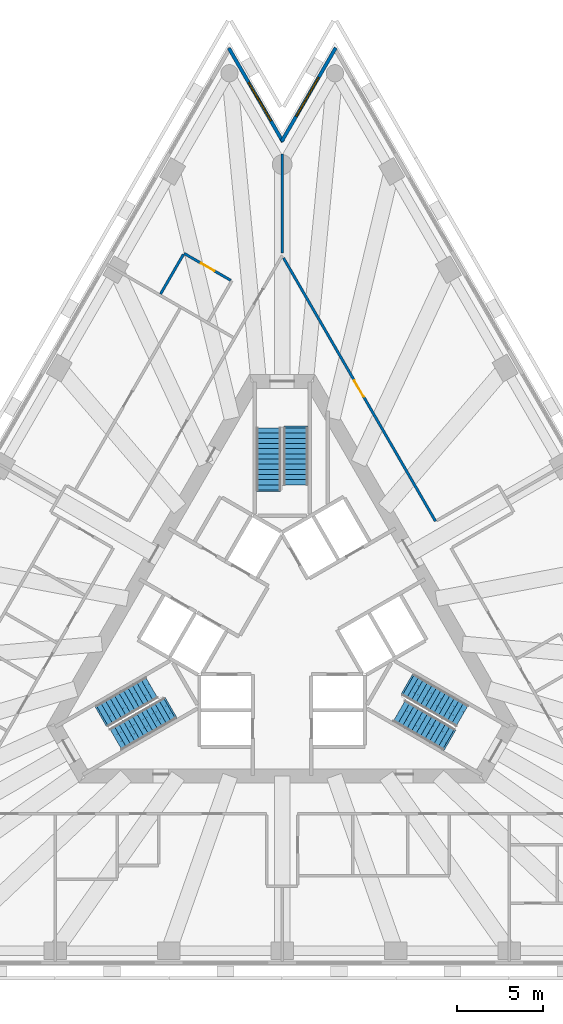
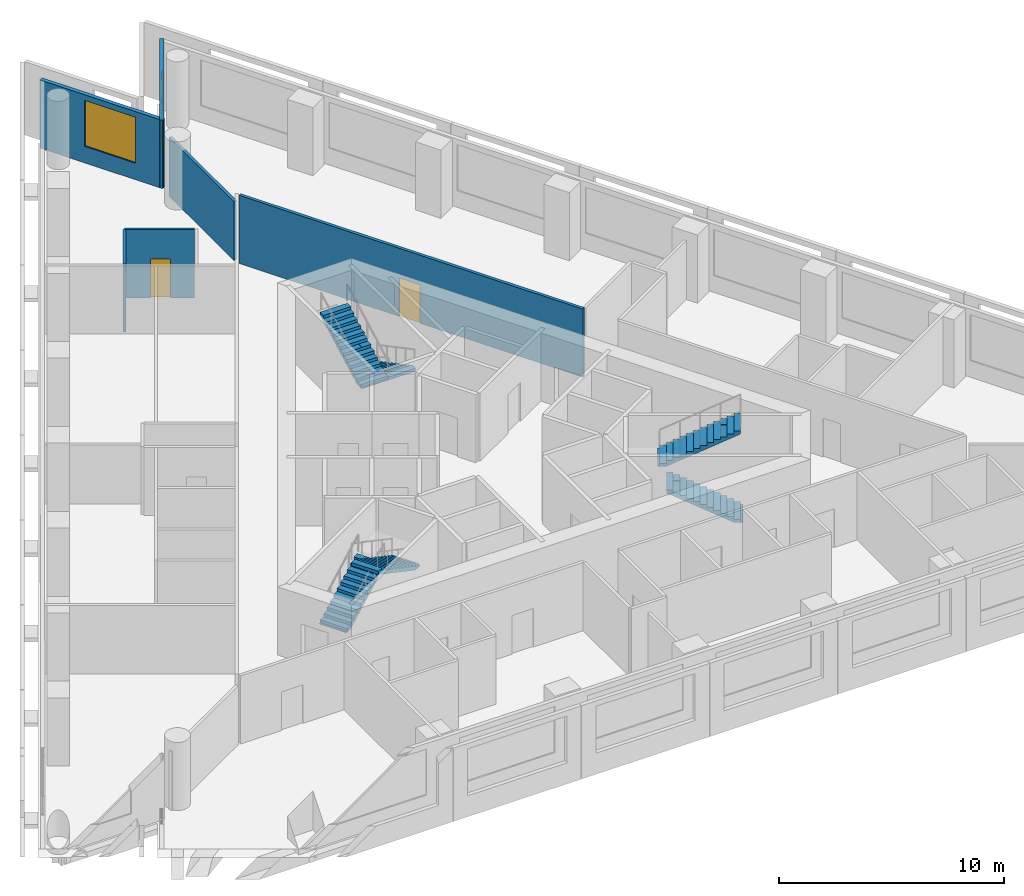
# One storey, part 7 of 10: 6 stair flights, 6 walls, 2 doors, 2 windows, 4 openings, 3 elements without a shape of their own.
"""IFC4 building model written with IfcOpenShell, lengths in metres."""

import ifcopenshell
import ifcopenshell.guid

model = None  # the IFC model being written
_history = None  # IfcOwnerHistory: only IFC2X3 demands one
_inside = {}  # id of a spatial element -> (the spatial element, [elements in it])
_under = {}  # id of a project, library or spatial element -> (it, [spatial elements below it])
_declared = {}  # id of a project -> (the project, [libraries it declares])
_typed = {}  # id of a type object -> (the type object, [elements of that type])
_made_of = {}  # id of a material, layer set ... -> (it, [elements and type objects made of it])


def new_model(schema):
    """Start an empty IFC model of exactly this schema.

    Asked for "IFC4X3", IfcOpenShell would pick the latest addendum, in which some entities
    have other attributes; the version numbers below select the first issue.
    IFC2X3 requires an IfcOwnerHistory on every rooted entity: one is made here for all.
    """
    global model, _history
    if schema == "IFC4X3":
        model = ifcopenshell.file(schema_version=(4, 3, 0, 0))
    else:
        model = ifcopenshell.file(schema=schema)
    _inside.clear()
    _under.clear()
    _declared.clear()
    _typed.clear()
    _made_of.clear()
    _history = None
    if model.schema == "IFC2X3":
        org = make("IfcOrganization", Name="unknown")
        user = make(
            "IfcPersonAndOrganization",
            ThePerson=make("IfcPerson", FamilyName="unknown"),
            TheOrganization=org,
        )
        app = make(
            "IfcApplication",
            ApplicationDeveloper=org,
            Version="unknown",
            ApplicationFullName="unknown",
            ApplicationIdentifier="unknown",
        )
        _history = make(
            "IfcOwnerHistory",
            OwningUser=user,
            OwningApplication=app,
            ChangeAction="ADDED",
            CreationDate=0,
        )
    return model


def make(cls, **values):
    """One entity of the class cls with the attributes given. An attribute that is None is left unset."""
    return model.create_entity(
        cls, **{name: value for name, value in values.items() if value is not None}
    )


def rooted(cls, **values):
    """An entity with a GlobalId (a new one), such as an element, a storey or a relation."""
    return make(cls, GlobalId=ifcopenshell.guid.new(), OwnerHistory=_history, **values)


def si_unit(unit_type, name, prefix=None):
    """IfcSIUnit, for example si_unit("LENGTHUNIT", "METRE", prefix="MILLI")."""
    return make("IfcSIUnit", UnitType=unit_type, Prefix=prefix, Name=name)


def assignment(units):
    """IfcUnitAssignment: the units of a project."""
    return None if units is None else make("IfcUnitAssignment", Units=units)


def point(xyz):
    """IfcCartesianPoint."""
    return None if xyz is None else make("IfcCartesianPoint", Coordinates=xyz)


def direction(xyz):
    """IfcDirection."""
    return None if xyz is None else make("IfcDirection", DirectionRatios=xyz)


def frame(location, z_axis=None, x_axis=None):
    """IfcAxis2Placement3D, a coordinate frame: its origin and axes. An axis left out is left unset."""
    return make(
        "IfcAxis2Placement3D",
        Location=point(location),
        Axis=direction(z_axis),
        RefDirection=direction(x_axis),
    )


def frame_2d(location, x_axis=None):
    """IfcAxis2Placement2D, a coordinate frame in the plane: its origin and x axis."""
    return make(
        "IfcAxis2Placement2D", Location=point(location), RefDirection=direction(x_axis)
    )


def origin():
    """The frame at (0, 0, 0) with its axes left unset."""
    return frame((0.0, 0.0, 0.0))


def place(relative_to, where):
    """IfcLocalPlacement: puts the frame where relative to a parent placement (None: the world)."""
    return make(
        "IfcLocalPlacement", PlacementRelTo=relative_to, RelativePlacement=where
    )


def context(
    kind, dimensions, precision=None, world=None, true_north=None, identifier=None
):
    """IfcGeometricRepresentationContext, for example the 3D "Model" context."""
    return make(
        "IfcGeometricRepresentationContext",
        ContextIdentifier=identifier,
        ContextType=kind,
        CoordinateSpaceDimension=dimensions,
        Precision=precision,
        WorldCoordinateSystem=world,
        TrueNorth=true_north,
    )


def subcontext(parent, identifier, kind, view, scale=None):
    """IfcGeometricRepresentationSubContext, for example "Body" below "Model"."""
    return make(
        "IfcGeometricRepresentationSubContext",
        ContextIdentifier=identifier,
        ContextType=kind,
        ParentContext=parent,
        TargetScale=scale,
        TargetView=view,
    )


def project(units=None, contexts=None):
    """IfcProject with its units and contexts."""
    return rooted(
        "IfcProject",
        Name="project",
        RepresentationContexts=contexts,
        UnitsInContext=assignment(units),
    )


def spatial(cls, under=None, at=None, **own):
    """A site, building, storey or space (cls), placed at a placement, below another one or the project."""
    s = rooted(cls, ObjectPlacement=at, **own)
    if under is not None:
        _under.setdefault(under.id(), (under, []))[1].append(s)
    return s


def polyline(points):
    """IfcPolyline through the points."""
    return make("IfcPolyline", Points=[point(p) for p in points])


def profile(cls, at=None, kind="AREA", **sizes):
    """A parametric profile (cls). Its sizes go by their IFC names, for example OverallWidth=200.0."""
    return make(cls, ProfileType=kind, Position=at, **sizes)


def rectangle(**sizes):
    """IfcRectangleProfileDef."""
    return profile("IfcRectangleProfileDef", **sizes)


def outline(outer, holes=None, kind="AREA"):
    """IfcArbitraryClosedProfileDef: a profile drawn as a closed curve; with holes, ...WithVoids."""
    if holes is None:
        return make("IfcArbitraryClosedProfileDef", ProfileType=kind, OuterCurve=outer)
    return make(
        "IfcArbitraryProfileDefWithVoids",
        ProfileType=kind,
        OuterCurve=outer,
        InnerCurves=holes,
    )


def extrude(swept, where, along, depth):
    """IfcExtrudedAreaSolid: the profile swept, set in the frame where, extruded along a direction by depth."""
    return make(
        "IfcExtrudedAreaSolid",
        SweptArea=swept,
        Position=where,
        ExtrudedDirection=direction(along),
        Depth=depth,
    )


def shape(context_of_items, identifier, shape_type, items):
    """IfcShapeRepresentation: the items that make up one representation, for example the "Body"."""
    return make(
        "IfcShapeRepresentation",
        ContextOfItems=context_of_items,
        RepresentationIdentifier=identifier,
        RepresentationType=shape_type,
        Items=items,
    )


def material(Name=None, Category=None):
    """IfcMaterial."""
    return make("IfcMaterial", Name=Name, Category=Category)


def layer(
    of_material, thickness, ventilated=None, Name=None, Category=None, Priority=None
):
    """IfcMaterialLayer: one layer of a wall or slab, of a material (None: an air gap)."""
    return make(
        "IfcMaterialLayer",
        Material=of_material,
        LayerThickness=thickness,
        IsVentilated=ventilated,
        Name=Name,
        Category=Category,
        Priority=Priority,
    )


def layer_set(layers, Name=None):
    """IfcMaterialLayerSet."""
    return make("IfcMaterialLayerSet", MaterialLayers=layers, LayerSetName=Name)


def layer_usage(for_layer_set, set_direction, sense, offset, extent=None):
    """IfcMaterialLayerSetUsage: how a layer set lies in its element."""
    return make(
        "IfcMaterialLayerSetUsage",
        ForLayerSet=for_layer_set,
        LayerSetDirection=set_direction,
        DirectionSense=sense,
        OffsetFromReferenceLine=offset,
        ReferenceExtent=extent,
    )


def made_of(thing, what):
    """Note that an element or type object is made of a material, layer set ...; save() writes the relation."""
    if what is not None:
        _made_of.setdefault(what.id(), (what, []))[1].append(thing)
    return thing


def type_object(cls, material=None, **own):
    """A type object (cls), such as IfcWallType, which elements share."""
    return made_of(rooted(cls, **own), material)


def element(
    cls,
    number,
    at=None,
    inside=None,
    cuts=None,
    type_object=None,
    material=None,
    context=None,
    identifier="Body",
    shape_type=None,
    held_by="IfcProductDefinitionShape",
    body=None,
    shapes=None,
    **own,
):
    """One element of the class cls, such as IfcWall. Its Tag is "e" and its number.

    at: its placement. inside: the storey or other place that contains it. cuts: it is an
    opening in that element (IfcRelVoidsElement). A single representation is given by context,
    identifier, shape_type and body (its items); several are given by shapes. held_by: the class
    of the entity that holds the representations. save() writes the other relations.
    """
    e = rooted(cls, Tag="e%d" % number, ObjectPlacement=at, **own)
    if body is not None:
        shapes = [shape(context, identifier, shape_type, body)]
    if shapes is not None:
        e.Representation = make(held_by, Representations=shapes)
    if inside is not None:
        _inside.setdefault(inside.id(), (inside, []))[1].append(e)
    if cuts is not None:
        rooted(
            "IfcRelVoidsElement", RelatingBuildingElement=cuts, RelatedOpeningElement=e
        )
    if type_object is not None:
        _typed.setdefault(type_object.id(), (type_object, []))[1].append(e)
    return made_of(e, material)


def fill(opening, filler):
    """IfcRelFillsElement: the door or window that sits in an opening."""
    return rooted(
        "IfcRelFillsElement",
        RelatingOpeningElement=opening,
        RelatedBuildingElement=filler,
    )


def aggregate(whole, parts):
    """IfcRelAggregates: a whole, such as a stair, and the parts it consists of."""
    return rooted("IfcRelAggregates", RelatingObject=whole, RelatedObjects=parts)


def save(model, path):
    """Write the relations noted so far, then the file.

    IfcRelAggregates (storeys below a building ...), IfcRelContainedInSpatialStructure (elements
    in a storey), IfcRelDefinesByType, IfcRelAssociatesMaterial and IfcRelDeclares: one each for
    every whole, place, type object, material and project.
    """
    for whole, parts in _under.values():
        aggregate(whole, parts)
    for where, things in _inside.values():
        rooted(
            "IfcRelContainedInSpatialStructure",
            RelatedElements=things,
            RelatingStructure=where,
        )
    for kind, things in _typed.values():
        rooted("IfcRelDefinesByType", RelatedObjects=things, RelatingType=kind)
    for what, things in _made_of.values():
        rooted("IfcRelAssociatesMaterial", RelatedObjects=things, RelatingMaterial=what)
    for by, libraries in _declared.values():
        rooted("IfcRelDeclares", RelatingContext=by, RelatedDefinitions=libraries)
    model.write(path)


model = new_model("IFC4")

# Units and contexts
model_context = context("Model", 3, precision=1e-05, world=origin(), true_north=direction((0.0, 1.0)))
body_context = subcontext(model_context, "Body", "Model", "MODEL_VIEW")
ifc_project = project(units=[si_unit("LENGTHUNIT", "METRE"), si_unit("AREAUNIT", "SQUARE_METRE"), si_unit("VOLUMEUNIT", "CUBIC_METRE"), si_unit("PLANEANGLEUNIT", "RADIAN"), si_unit("MASSUNIT", "GRAM", prefix="KILO")], contexts=[model_context])

# Site, building, storey
site_placement = place(None, origin())
site = spatial("IfcSite", under=ifc_project, at=site_placement, CompositionType="ELEMENT")
building_placement = place(site_placement, origin())
building = spatial("IfcBuilding", under=site, at=building_placement, Name="Triada Interchange Tower", CompositionType="ELEMENT")
storey_placement = place(building_placement, frame((0.0, 0.0, 156.300048828125)))
storey = spatial("IfcBuildingStorey", under=building, at=storey_placement, Name="L36", CompositionType="ELEMENT", Elevation=156.300048828125)

# Wall, opening, window
ifc_material_1 = material(Name="Cement board")
ifc_layer_1 = layer(ifc_material_1, 0.02001953125, Name="Cement board cladding")
ifc_material_2 = material(Name="Sheathing board")
ifc_layer_2 = layer(ifc_material_2, 0.014892578125, Name="Sheathing board")
ifc_material_3 = material(Name="Mineral wool")
ifc_layer_3 = layer(ifc_material_3, 0.14990234375, Name="Mineral wool between steel studs")
ifc_material_4 = material(Name="Gypsum board")
ifc_layer_4 = layer(ifc_material_4, 0.014892578125, Name="Plasterboard lining")
ifc_layer_set_1 = layer_set([ifc_layer_1, ifc_layer_2, ifc_layer_3, ifc_layer_4], Name="External wall 200")
ifc_layer_usage = layer_usage(ifc_layer_set_1, "AXIS2", "POSITIVE", -0.10009765625)
wall_type_1 = type_object("IfcWallType", Name="External wall 200", PredefinedType="ELEMENTEDWALL", material=ifc_layer_set_1)
wall_1_placement = place(storey_placement, frame((3.10791015625, 33.666015625, 0.0), z_axis=(0.0, 0.0, 1.0), x_axis=(-0.499961152228, -0.866047831394, 0.0)))
wall_1 = element("IfcWall", 1, at=wall_1_placement, inside=storey, type_object=wall_type_1, material=ifc_layer_usage, Name="External wall L36 N-1", PredefinedType="ELEMENTEDWALL", context=body_context, shape_type="SweptSolid", body=[
    extrude(rectangle(XDim=6.2861328125, YDim=0.199951171875, at=frame_2d((3.14306640625, 0.0))), origin(), (0.0, 0.0, 1.0), 3.699951171875),
])
opening_1_placement = place(wall_1_placement, frame((1.989990234375, 0.0, 0.89990234375)))
opening_1 = element("IfcOpeningElement", 2, at=opening_1_placement, cuts=wall_1, Name="Opening WB29", PredefinedType="OPENING", context=body_context, shape_type="SweptSolid", body=[
    extrude(rectangle(XDim=2.60009765625, YDim=2.5, at=frame_2d((1.300048828125, 1.25))), frame((0.0, 0.10986328125, 0.0), z_axis=(0.0, -1.0, 0.0), x_axis=(1.0, 0.0, 0.0)), (0.0, 0.0, 1.0), 0.219970703125),
])
ifc_material_5 = material(Name="Double glazed aluminium window", Category="aluminium")
window_type = type_object("IfcWindowType", Name="Ribbon window B pocket", PartitioningType="SINGLE_PANEL", PredefinedType="WINDOW", material=ifc_material_5)
window_1_placement = place(opening_1_placement, origin())
window_1 = element("IfcWindow", 3, at=window_1_placement, inside=storey, type_object=window_type, Name="Window L36 N-1 1", OverallHeight=2.5, OverallWidth=2.60009765625, PartitioningType="SINGLE_PANEL", PredefinedType="WINDOW", context=body_context, shape_type="SweptSolid", body=[
    extrude(rectangle(XDim=2.60009765625, YDim=2.5, at=frame_2d((1.300048828125, 1.25))), frame((0.0, 0.030029296875, 0.0), z_axis=(0.0, -1.0, 0.0), x_axis=(1.0, 0.0, 0.0)), (0.0, 0.0, 1.0), 0.06005859375),
])
fill(opening_1, window_1)

wall_2_placement = place(storey_placement, frame((0.044921875, 28.205078125, 0.0), z_axis=(0.0, 0.0, 1.0), x_axis=(-0.499977969162, 0.866038122921, 0.0)))
wall_2 = element("IfcWall", 4, at=wall_2_placement, inside=storey, type_object=wall_type_1, material=ifc_layer_usage, Name="External wall L36 N-2", PredefinedType="ELEMENTEDWALL", context=body_context, shape_type="SweptSolid", body=[
    extrude(rectangle(XDim=6.285888671875, YDim=0.199951171875, at=frame_2d((3.14306640625, 0.0))), origin(), (0.0, 0.0, 1.0), 3.699951171875),
])
opening_2_placement = place(wall_2_placement, frame((1.389892578125, 0.0, 0.89990234375)))
opening_2 = element("IfcOpeningElement", 5, at=opening_2_placement, cuts=wall_2, Name="Opening WB30", PredefinedType="OPENING", context=body_context, shape_type="SweptSolid", body=[
    extrude(rectangle(XDim=2.60009765625, YDim=2.5, at=frame_2d((1.300048828125, 1.25))), frame((0.0, 0.10986328125, 0.0), z_axis=(0.0, -1.0, 0.0), x_axis=(1.0, 0.0, 0.0)), (0.0, 0.0, 1.0), 0.219970703125),
])
window_2_placement = place(opening_2_placement, origin())
window_2 = element("IfcWindow", 6, at=window_2_placement, inside=storey, type_object=window_type, Name="Window L36 N-2 1", OverallHeight=2.5, OverallWidth=2.60009765625, PartitioningType="SINGLE_PANEL", PredefinedType="WINDOW", context=body_context, shape_type="SweptSolid", body=[
    extrude(rectangle(XDim=2.60009765625, YDim=2.5, at=frame_2d((1.300048828125, 1.25))), frame((0.0, 0.030029296875, 0.0), z_axis=(0.0, -1.0, 0.0), x_axis=(1.0, 0.0, 0.0)), (0.0, 0.0, 1.0), 0.06005859375),
])
fill(opening_2, window_2)

# Wall
ifc_material_6 = material(Name="Gypsum board partition")
ifc_layer_5 = layer(ifc_material_6, 0.14990234375)
ifc_layer_set_2 = layer_set([ifc_layer_5], Name="PARTITION 150 EI 180")
wall_type_2 = type_object("IfcWallType", Name="PARTITION 150 EI 180", PredefinedType="PARTITIONING", material=ifc_layer_set_2)
wall_3_placement = place(storey_placement, frame((0.0, 21.75, 0.0), z_axis=(0.0, 0.0, 1.0), x_axis=(0.0, 1.0, 0.0)))
element("IfcWall", 7, at=wall_3_placement, inside=storey, type_object=wall_type_2, Name="Wall L35 26", PredefinedType="PARTITIONING", context=body_context, shape_type="SweptSolid", body=[
    extrude(rectangle(XDim=5.7529296875, YDim=0.14990234375, at=frame_2d((2.87646484375, 0.0))), origin(), (0.0, 0.0, 1.0), 3.199951171875),
])

# Wall, opening, door
wall_4_placement = place(storey_placement, frame((0.075927734375, 21.468017578125, 0.0), z_axis=(0.0, 0.0, 1.0), x_axis=(0.500006592492, -0.866021597574, 0.0)))
wall_4 = element("IfcWall", 8, at=wall_4_placement, inside=storey, type_object=wall_type_2, Name="Wall L35 28", PredefinedType="PARTITIONING", context=body_context, shape_type="SweptSolid", body=[
    extrude(rectangle(XDim=17.652099609375, YDim=0.14990234375, at=frame_2d((8.826171875, 0.0))), origin(), (0.0, 0.0, 1.0), 3.699951171875),
])
opening_3_placement = place(wall_4_placement, frame((8.2041015625, 0.0, 0.0)))
opening_3 = element("IfcOpeningElement", 9, at=opening_3_placement, cuts=wall_4, Name="Opening D35-26", PredefinedType="OPENING", context=body_context, shape_type="SweptSolid", body=[
    extrude(rectangle(XDim=1.10009765625, YDim=2.10009765625, at=frame_2d((0.550048828125, 1.050048828125))), frame((0.0, 0.0849609375, 0.0), z_axis=(0.0, -1.0, 0.0), x_axis=(1.0, 0.0, 0.0)), (0.0, 0.0, 1.0), 0.169921875),
])
ifc_material_7 = material(Name="Steel S235 door leaf", Category="steel")
door_type_1 = type_object("IfcDoorType", Name="TENANCY ENTRANCE DOOR 1100 EI2 90-C5S200", OperationType="NOTDEFINED", PredefinedType="DOOR", material=ifc_material_7)
door_1_placement = place(opening_3_placement, origin())
door_1 = element("IfcDoor", 10, at=door_1_placement, inside=storey, type_object=door_type_1, Name="Door D35-26 L36", OperationType="SINGLE_SWING_LEFT", OverallHeight=2.10009765625, OverallWidth=1.10009765625, PredefinedType="DOOR", context=body_context, shape_type="SweptSolid", body=[
    extrude(rectangle(XDim=1.10009765625, YDim=2.10009765625, at=frame_2d((0.550048828125, 1.050048828125))), frame((0.0, 0.02490234375, 0.0), z_axis=(0.0, -1.0, 0.0), x_axis=(1.0, 0.0, 0.0)), (0.0, 0.0, 1.0), 0.050048828125),
])
fill(opening_3, door_1)

ifc_layer_6 = layer(ifc_material_6, 0.14990234375)
ifc_layer_set_3 = layer_set([ifc_layer_6], Name="PARTITION 150 EI 90")
wall_type_3 = type_object("IfcWallType", Name="PARTITION 150 EI 90", PredefinedType="PARTITIONING", material=ifc_layer_set_3)
wall_5_placement = place(storey_placement, frame((-5.697021484375, 21.73193359375, 0.0), z_axis=(0.0, 0.0, 1.0), x_axis=(0.866071089505, -0.499920861661, 0.0)))
wall_5 = element("IfcWall", 11, at=wall_5_placement, inside=storey, type_object=wall_type_3, Name="Wall L35 45", PredefinedType="PARTITIONING", context=body_context, shape_type="SweptSolid", body=[
    extrude(rectangle(XDim=3.12451171875, YDim=0.14990234375, at=frame_2d((1.562255859375, 0.0))), origin(), (0.0, 0.0, 1.0), 3.699951171875),
])
opening_4_placement = place(wall_5_placement, frame((1.14990234375, 0.0, 0.0)))
opening_4 = element("IfcOpeningElement", 12, at=opening_4_placement, cuts=wall_5, Name="Opening D35-28", PredefinedType="OPENING", context=body_context, shape_type="SweptSolid", body=[
    extrude(rectangle(XDim=0.89990234375, YDim=2.10009765625, at=frame_2d((0.449951171875, 1.050048828125))), frame((0.0, 0.0849609375, 0.0), z_axis=(0.0, -1.0, 0.0), x_axis=(1.0, 0.0, 0.0)), (0.0, 0.0, 1.0), 0.169921875),
])
door_type_2 = type_object("IfcDoorType", Name="ROOM DOOR 900 EI2 45-C5S200", OperationType="NOTDEFINED", PredefinedType="DOOR", material=ifc_material_7)
door_2_placement = place(opening_4_placement, origin())
door_2 = element("IfcDoor", 13, at=door_2_placement, inside=storey, type_object=door_type_2, Name="Door D35-28 L36", OperationType="SINGLE_SWING_LEFT", OverallHeight=2.10009765625, OverallWidth=0.89990234375, PredefinedType="DOOR", context=body_context, shape_type="SweptSolid", body=[
    extrude(rectangle(XDim=0.89990234375, YDim=2.10009765625, at=frame_2d((0.449951171875, 1.050048828125))), frame((0.0, 0.02490234375, 0.0), z_axis=(0.0, -1.0, 0.0), x_axis=(1.0, 0.0, 0.0)), (0.0, 0.0, 1.0), 0.050048828125),
])
fill(opening_4, door_2)

# Wall
wall_6_placement = place(storey_placement, frame((-7.06005859375, 19.373046875, 0.0), z_axis=(0.0, 0.0, 1.0), x_axis=(0.499993606316, 0.866029095148, 0.0)))
element("IfcWall", 14, at=wall_6_placement, inside=storey, type_object=wall_type_3, Name="Wall L35 46", PredefinedType="PARTITIONING", context=body_context, shape_type="SweptSolid", body=[
    extrude(rectangle(XDim=2.64990234375, YDim=0.14990234375, at=frame_2d((1.324951171875, 0.0))), origin(), (0.0, 0.0, 1.0), 3.699951171875),
])

# Stair, stair flights
ifc_material_8 = material(Name="Concrete C35/45", Category="concrete")
stair_type = type_object("IfcStairType", Name="HALF TURN STAIR 1400", PredefinedType="HALF_TURN_STAIR", material=ifc_material_8)
stair_1_placement = place(storey_placement, origin())
stair_1 = element("IfcStair", 15, at=stair_1_placement, inside=storey, type_object=stair_type, Name="Exit stair S35-1", PredefinedType="HALF_TURN_STAIR")
stair_flight_type = type_object("IfcStairFlightType", Name="STRAIGHT STAIR FLIGHT 1400", PredefinedType="STRAIGHT", material=ifc_material_8)
stair_flight_1_placement = place(storey_placement, frame((0.800048828125, 11.60009765625, 0.0), z_axis=(0.0, 0.0, 1.0), x_axis=(0.0, -1.0, 0.0)))
stair_flight_1 = element("IfcStairFlight", 16, at=stair_flight_1_placement, type_object=stair_flight_type, Name="S35-1 flight 1", NumberOfRisers=12, NumberOfTreads=11, PredefinedType="STRAIGHT", RiserHeight=0.16, TreadLength=0.3, context=body_context, shape_type="SweptSolid", body=[
    extrude(outline(polyline([(-0.10009765625, 0.0), (-0.10009765625, 0.02001953125), (0.0, 0.02001953125), (0.0, 0.159912109375), (0.300048828125, 0.159912109375), (0.300048828125, 0.320068359375), (0.60009765625, 0.320068359375), (0.60009765625, 0.47998046875), (0.89990234375, 0.47998046875), (0.89990234375, 0.639892578125), (1.199951171875, 0.639892578125), (1.199951171875, 0.800048828125), (1.5, 0.800048828125), (1.5, 0.9599609375), (1.800048828125, 0.9599609375), (1.800048828125, 1.1201171875), (2.10009765625, 1.1201171875), (2.10009765625, 1.280029296875), (2.39990234375, 1.280029296875), (2.39990234375, 1.43994140625), (2.699951171875, 1.43994140625), (2.699951171875, 1.60009765625), (3.0, 1.60009765625), (3.0, 1.760009765625), (3.300048828125, 1.760009765625), (3.303955078125, 1.760009765625), (3.303955078125, 1.919921875), (3.303955078125, 1.590087890625), (0.318603515625, 0.0), (-0.10009765625, 0.0)])), frame((0.0, 0.699951171875, 0.0), z_axis=(0.0, -1.0, 0.0), x_axis=(1.0, 0.0, 0.0)), (0.0, 0.0, 1.0), 0.46533203125),
    extrude(outline(polyline([(-0.10009765625, 0.0), (-0.10009765625, 0.02001953125), (0.0, 0.02001953125), (0.0, 0.159912109375), (0.300048828125, 0.159912109375), (0.300048828125, 0.320068359375), (0.60009765625, 0.320068359375), (0.60009765625, 0.47998046875), (0.89990234375, 0.47998046875), (0.89990234375, 0.639892578125), (1.199951171875, 0.639892578125), (1.199951171875, 0.800048828125), (1.5, 0.800048828125), (1.5, 0.9599609375), (1.800048828125, 0.9599609375), (1.800048828125, 1.1201171875), (2.10009765625, 1.1201171875), (2.10009765625, 1.280029296875), (2.39990234375, 1.280029296875), (2.39990234375, 1.43994140625), (2.699951171875, 1.43994140625), (2.699951171875, 1.60009765625), (3.0, 1.60009765625), (3.0, 1.760009765625), (3.300048828125, 1.760009765625), (3.303955078125, 1.760009765625), (3.303955078125, 1.919921875), (3.303955078125, 1.590087890625), (0.318603515625, 0.0), (-0.10009765625, 0.0)])), frame((0.0, 0.232666015625, 0.0), z_axis=(0.0, -1.0, 0.0), x_axis=(1.0, 0.0, 0.0)), (0.0, 0.0, 1.0), 0.46533203125),
    extrude(outline(polyline([(-0.10009765625, 0.0), (-0.10009765625, 0.02001953125), (0.0, 0.02001953125), (0.0, 0.159912109375), (0.300048828125, 0.159912109375), (0.300048828125, 0.320068359375), (0.60009765625, 0.320068359375), (0.60009765625, 0.47998046875), (0.89990234375, 0.47998046875), (0.89990234375, 0.639892578125), (1.199951171875, 0.639892578125), (1.199951171875, 0.800048828125), (1.5, 0.800048828125), (1.5, 0.9599609375), (1.800048828125, 0.9599609375), (1.800048828125, 1.1201171875), (2.10009765625, 1.1201171875), (2.10009765625, 1.280029296875), (2.39990234375, 1.280029296875), (2.39990234375, 1.43994140625), (2.699951171875, 1.43994140625), (2.699951171875, 1.60009765625), (3.0, 1.60009765625), (3.0, 1.760009765625), (3.300048828125, 1.760009765625), (3.303955078125, 1.760009765625), (3.303955078125, 1.919921875), (3.303955078125, 1.590087890625), (0.318603515625, 0.0), (-0.10009765625, 0.0)])), frame((0.0, -0.234619140625, 0.0), z_axis=(0.0, -1.0, 0.0), x_axis=(1.0, 0.0, 0.0)), (0.0, 0.0, 1.0), 0.46533203125),
])
stair_flight_2_placement = place(storey_placement, frame((-0.800048828125, 8.0, 1.919921875), z_axis=(0.0, 0.0, 1.0), x_axis=(0.0, 1.0, 0.0)))
stair_flight_2 = element("IfcStairFlight", 17, at=stair_flight_2_placement, type_object=stair_flight_type, Name="S35-1 flight 2", NumberOfRisers=13, NumberOfTreads=12, PredefinedType="STRAIGHT", RiserHeight=0.16, TreadLength=0.3, context=body_context, shape_type="SweptSolid", body=[
    extrude(outline(polyline([(-0.10009765625, 0.0), (-0.10009765625, 0.02001953125), (0.0, 0.02001953125), (0.0, 0.159912109375), (0.300048828125, 0.159912109375), (0.300048828125, 0.320068359375), (0.60009765625, 0.320068359375), (0.60009765625, 0.47998046875), (0.89990234375, 0.47998046875), (0.89990234375, 0.639892578125), (1.199951171875, 0.639892578125), (1.199951171875, 0.800048828125), (1.5, 0.800048828125), (1.5, 0.9599609375), (1.800048828125, 0.9599609375), (1.800048828125, 1.1201171875), (2.10009765625, 1.1201171875), (2.10009765625, 1.280029296875), (2.39990234375, 1.280029296875), (2.39990234375, 1.43994140625), (2.699951171875, 1.43994140625), (2.699951171875, 1.60009765625), (3.0, 1.60009765625), (3.0, 1.760009765625), (3.300048828125, 1.760009765625), (3.300048828125, 1.919921875), (3.60009765625, 1.919921875), (3.60400390625, 1.919921875), (3.60400390625, 2.080078125), (3.60400390625, 1.75), (0.318603515625, 0.0), (-0.10009765625, 0.0)])), frame((0.0, 0.699951171875, 0.0), z_axis=(0.0, -1.0, 0.0), x_axis=(1.0, 0.0, 0.0)), (0.0, 0.0, 1.0), 0.46533203125),
    extrude(outline(polyline([(-0.10009765625, 0.0), (-0.10009765625, 0.02001953125), (0.0, 0.02001953125), (0.0, 0.159912109375), (0.300048828125, 0.159912109375), (0.300048828125, 0.320068359375), (0.60009765625, 0.320068359375), (0.60009765625, 0.47998046875), (0.89990234375, 0.47998046875), (0.89990234375, 0.639892578125), (1.199951171875, 0.639892578125), (1.199951171875, 0.800048828125), (1.5, 0.800048828125), (1.5, 0.9599609375), (1.800048828125, 0.9599609375), (1.800048828125, 1.1201171875), (2.10009765625, 1.1201171875), (2.10009765625, 1.280029296875), (2.39990234375, 1.280029296875), (2.39990234375, 1.43994140625), (2.699951171875, 1.43994140625), (2.699951171875, 1.60009765625), (3.0, 1.60009765625), (3.0, 1.760009765625), (3.300048828125, 1.760009765625), (3.300048828125, 1.919921875), (3.60009765625, 1.919921875), (3.60400390625, 1.919921875), (3.60400390625, 2.080078125), (3.60400390625, 1.75), (0.318603515625, 0.0), (-0.10009765625, 0.0)])), frame((0.0, 0.232666015625, 0.0), z_axis=(0.0, -1.0, 0.0), x_axis=(1.0, 0.0, 0.0)), (0.0, 0.0, 1.0), 0.46533203125),
    extrude(outline(polyline([(-0.10009765625, 0.0), (-0.10009765625, 0.02001953125), (0.0, 0.02001953125), (0.0, 0.159912109375), (0.300048828125, 0.159912109375), (0.300048828125, 0.320068359375), (0.60009765625, 0.320068359375), (0.60009765625, 0.47998046875), (0.89990234375, 0.47998046875), (0.89990234375, 0.639892578125), (1.199951171875, 0.639892578125), (1.199951171875, 0.800048828125), (1.5, 0.800048828125), (1.5, 0.9599609375), (1.800048828125, 0.9599609375), (1.800048828125, 1.1201171875), (2.10009765625, 1.1201171875), (2.10009765625, 1.280029296875), (2.39990234375, 1.280029296875), (2.39990234375, 1.43994140625), (2.699951171875, 1.43994140625), (2.699951171875, 1.60009765625), (3.0, 1.60009765625), (3.0, 1.760009765625), (3.300048828125, 1.760009765625), (3.300048828125, 1.919921875), (3.60009765625, 1.919921875), (3.60400390625, 1.919921875), (3.60400390625, 2.080078125), (3.60400390625, 1.75), (0.318603515625, 0.0), (-0.10009765625, 0.0)])), frame((0.0, -0.234619140625, 0.0), z_axis=(0.0, -1.0, 0.0), x_axis=(1.0, 0.0, 0.0)), (0.0, 0.0, 1.0), 0.46533203125),
])
aggregate(stair_1, [stair_flight_1, stair_flight_2])

stair_2_placement = place(storey_placement, origin())
stair_2 = element("IfcStair", 18, at=stair_2_placement, inside=storey, type_object=stair_type, Name="Exit stair S35-2", PredefinedType="HALF_TURN_STAIR")
stair_flight_3_placement = place(storey_placement, frame((-10.446044921875, -5.10693359375, 0.0), z_axis=(0.0, 0.0, 1.0), x_axis=(0.866025403784, 0.5, 0.0)))
stair_flight_3 = element("IfcStairFlight", 19, at=stair_flight_3_placement, type_object=stair_flight_type, Name="S35-2 flight 1", NumberOfRisers=12, NumberOfTreads=11, PredefinedType="STRAIGHT", RiserHeight=0.16, TreadLength=0.3, context=body_context, shape_type="SweptSolid", body=[
    extrude(outline(polyline([(-0.10009765625, 0.0), (-0.10009765625, 0.02001953125), (0.0, 0.02001953125), (0.0, 0.159912109375), (0.300048828125, 0.159912109375), (0.300048828125, 0.320068359375), (0.60009765625, 0.320068359375), (0.60009765625, 0.47998046875), (0.89990234375, 0.47998046875), (0.89990234375, 0.639892578125), (1.199951171875, 0.639892578125), (1.199951171875, 0.800048828125), (1.5, 0.800048828125), (1.5, 0.9599609375), (1.800048828125, 0.9599609375), (1.800048828125, 1.1201171875), (2.10009765625, 1.1201171875), (2.10009765625, 1.280029296875), (2.39990234375, 1.280029296875), (2.39990234375, 1.43994140625), (2.699951171875, 1.43994140625), (2.699951171875, 1.60009765625), (3.0, 1.60009765625), (3.0, 1.760009765625), (3.300048828125, 1.760009765625), (3.303955078125, 1.760009765625), (3.303955078125, 1.919921875), (3.303955078125, 1.590087890625), (0.318603515625, 0.0), (-0.10009765625, 0.0)])), frame((0.0, 0.699951171875, 0.0), z_axis=(0.0, -1.0, 0.0), x_axis=(1.0, 0.0, 0.0)), (0.0, 0.0, 1.0), 0.46533203125),
    extrude(outline(polyline([(-0.10009765625, 0.0), (-0.10009765625, 0.02001953125), (0.0, 0.02001953125), (0.0, 0.159912109375), (0.300048828125, 0.159912109375), (0.300048828125, 0.320068359375), (0.60009765625, 0.320068359375), (0.60009765625, 0.47998046875), (0.89990234375, 0.47998046875), (0.89990234375, 0.639892578125), (1.199951171875, 0.639892578125), (1.199951171875, 0.800048828125), (1.5, 0.800048828125), (1.5, 0.9599609375), (1.800048828125, 0.9599609375), (1.800048828125, 1.1201171875), (2.10009765625, 1.1201171875), (2.10009765625, 1.280029296875), (2.39990234375, 1.280029296875), (2.39990234375, 1.43994140625), (2.699951171875, 1.43994140625), (2.699951171875, 1.60009765625), (3.0, 1.60009765625), (3.0, 1.760009765625), (3.300048828125, 1.760009765625), (3.303955078125, 1.760009765625), (3.303955078125, 1.919921875), (3.303955078125, 1.590087890625), (0.318603515625, 0.0), (-0.10009765625, 0.0)])), frame((0.0, 0.232666015625, 0.0), z_axis=(0.0, -1.0, 0.0), x_axis=(1.0, 0.0, 0.0)), (0.0, 0.0, 1.0), 0.46533203125),
    extrude(outline(polyline([(-0.10009765625, 0.0), (-0.10009765625, 0.02001953125), (0.0, 0.02001953125), (0.0, 0.159912109375), (0.300048828125, 0.159912109375), (0.300048828125, 0.320068359375), (0.60009765625, 0.320068359375), (0.60009765625, 0.47998046875), (0.89990234375, 0.47998046875), (0.89990234375, 0.639892578125), (1.199951171875, 0.639892578125), (1.199951171875, 0.800048828125), (1.5, 0.800048828125), (1.5, 0.9599609375), (1.800048828125, 0.9599609375), (1.800048828125, 1.1201171875), (2.10009765625, 1.1201171875), (2.10009765625, 1.280029296875), (2.39990234375, 1.280029296875), (2.39990234375, 1.43994140625), (2.699951171875, 1.43994140625), (2.699951171875, 1.60009765625), (3.0, 1.60009765625), (3.0, 1.760009765625), (3.300048828125, 1.760009765625), (3.303955078125, 1.760009765625), (3.303955078125, 1.919921875), (3.303955078125, 1.590087890625), (0.318603515625, 0.0), (-0.10009765625, 0.0)])), frame((0.0, -0.234619140625, 0.0), z_axis=(0.0, -1.0, 0.0), x_axis=(1.0, 0.0, 0.0)), (0.0, 0.0, 1.0), 0.46533203125),
])
stair_flight_4_placement = place(storey_placement, frame((-6.528076171875, -4.693115234375, 1.919921875), z_axis=(0.0, 0.0, 1.0), x_axis=(-0.866025403784, -0.5, 0.0)))
stair_flight_4 = element("IfcStairFlight", 20, at=stair_flight_4_placement, type_object=stair_flight_type, Name="S35-2 flight 2", NumberOfRisers=13, NumberOfTreads=12, PredefinedType="STRAIGHT", RiserHeight=0.16, TreadLength=0.3, context=body_context, shape_type="SweptSolid", body=[
    extrude(outline(polyline([(-0.10009765625, 0.0), (-0.10009765625, 0.02001953125), (0.0, 0.02001953125), (0.0, 0.159912109375), (0.300048828125, 0.159912109375), (0.300048828125, 0.320068359375), (0.60009765625, 0.320068359375), (0.60009765625, 0.47998046875), (0.89990234375, 0.47998046875), (0.89990234375, 0.639892578125), (1.199951171875, 0.639892578125), (1.199951171875, 0.800048828125), (1.5, 0.800048828125), (1.5, 0.9599609375), (1.800048828125, 0.9599609375), (1.800048828125, 1.1201171875), (2.10009765625, 1.1201171875), (2.10009765625, 1.280029296875), (2.39990234375, 1.280029296875), (2.39990234375, 1.43994140625), (2.699951171875, 1.43994140625), (2.699951171875, 1.60009765625), (3.0, 1.60009765625), (3.0, 1.760009765625), (3.300048828125, 1.760009765625), (3.300048828125, 1.919921875), (3.60009765625, 1.919921875), (3.60400390625, 1.919921875), (3.60400390625, 2.080078125), (3.60400390625, 1.75), (0.318603515625, 0.0), (-0.10009765625, 0.0)])), frame((0.0, 0.699951171875, 0.0), z_axis=(0.0, -1.0, 0.0), x_axis=(1.0, 0.0, 0.0)), (0.0, 0.0, 1.0), 0.46533203125),
    extrude(outline(polyline([(-0.10009765625, 0.0), (-0.10009765625, 0.02001953125), (0.0, 0.02001953125), (0.0, 0.159912109375), (0.300048828125, 0.159912109375), (0.300048828125, 0.320068359375), (0.60009765625, 0.320068359375), (0.60009765625, 0.47998046875), (0.89990234375, 0.47998046875), (0.89990234375, 0.639892578125), (1.199951171875, 0.639892578125), (1.199951171875, 0.800048828125), (1.5, 0.800048828125), (1.5, 0.9599609375), (1.800048828125, 0.9599609375), (1.800048828125, 1.1201171875), (2.10009765625, 1.1201171875), (2.10009765625, 1.280029296875), (2.39990234375, 1.280029296875), (2.39990234375, 1.43994140625), (2.699951171875, 1.43994140625), (2.699951171875, 1.60009765625), (3.0, 1.60009765625), (3.0, 1.760009765625), (3.300048828125, 1.760009765625), (3.300048828125, 1.919921875), (3.60009765625, 1.919921875), (3.60400390625, 1.919921875), (3.60400390625, 2.080078125), (3.60400390625, 1.75), (0.318603515625, 0.0), (-0.10009765625, 0.0)])), frame((0.0, 0.232666015625, 0.0), z_axis=(0.0, -1.0, 0.0), x_axis=(1.0, 0.0, 0.0)), (0.0, 0.0, 1.0), 0.46533203125),
    extrude(outline(polyline([(-0.10009765625, 0.0), (-0.10009765625, 0.02001953125), (0.0, 0.02001953125), (0.0, 0.159912109375), (0.300048828125, 0.159912109375), (0.300048828125, 0.320068359375), (0.60009765625, 0.320068359375), (0.60009765625, 0.47998046875), (0.89990234375, 0.47998046875), (0.89990234375, 0.639892578125), (1.199951171875, 0.639892578125), (1.199951171875, 0.800048828125), (1.5, 0.800048828125), (1.5, 0.9599609375), (1.800048828125, 0.9599609375), (1.800048828125, 1.1201171875), (2.10009765625, 1.1201171875), (2.10009765625, 1.280029296875), (2.39990234375, 1.280029296875), (2.39990234375, 1.43994140625), (2.699951171875, 1.43994140625), (2.699951171875, 1.60009765625), (3.0, 1.60009765625), (3.0, 1.760009765625), (3.300048828125, 1.760009765625), (3.300048828125, 1.919921875), (3.60009765625, 1.919921875), (3.60400390625, 1.919921875), (3.60400390625, 2.080078125), (3.60400390625, 1.75), (0.318603515625, 0.0), (-0.10009765625, 0.0)])), frame((0.0, -0.234619140625, 0.0), z_axis=(0.0, -1.0, 0.0), x_axis=(1.0, 0.0, 0.0)), (0.0, 0.0, 1.0), 0.46533203125),
])
aggregate(stair_2, [stair_flight_3, stair_flight_4])

stair_3_placement = place(storey_placement, origin())
stair_3 = element("IfcStair", 21, at=stair_3_placement, inside=storey, type_object=stair_type, Name="Exit stair S35-3", PredefinedType="HALF_TURN_STAIR")
stair_flight_5_placement = place(storey_placement, frame((9.64599609375, -6.492919921875, 0.0), z_axis=(0.0, 0.0, 1.0), x_axis=(-0.866025403784, 0.5, 0.0)))
stair_flight_5 = element("IfcStairFlight", 22, at=stair_flight_5_placement, type_object=stair_flight_type, Name="S35-3 flight 1", NumberOfRisers=12, NumberOfTreads=11, PredefinedType="STRAIGHT", RiserHeight=0.16, TreadLength=0.3, context=body_context, shape_type="SweptSolid", body=[
    extrude(outline(polyline([(-0.10009765625, 0.0), (-0.10009765625, 0.02001953125), (0.0, 0.02001953125), (0.0, 0.159912109375), (0.300048828125, 0.159912109375), (0.300048828125, 0.320068359375), (0.60009765625, 0.320068359375), (0.60009765625, 0.47998046875), (0.89990234375, 0.47998046875), (0.89990234375, 0.639892578125), (1.199951171875, 0.639892578125), (1.199951171875, 0.800048828125), (1.5, 0.800048828125), (1.5, 0.9599609375), (1.800048828125, 0.9599609375), (1.800048828125, 1.1201171875), (2.10009765625, 1.1201171875), (2.10009765625, 1.280029296875), (2.39990234375, 1.280029296875), (2.39990234375, 1.43994140625), (2.699951171875, 1.43994140625), (2.699951171875, 1.60009765625), (3.0, 1.60009765625), (3.0, 1.760009765625), (3.300048828125, 1.760009765625), (3.303955078125, 1.760009765625), (3.303955078125, 1.919921875), (3.303955078125, 1.590087890625), (0.318603515625, 0.0), (-0.10009765625, 0.0)])), frame((0.0, 0.699951171875, 0.0), z_axis=(0.0, -1.0, 0.0), x_axis=(1.0, 0.0, 0.0)), (0.0, 0.0, 1.0), 0.46533203125),
    extrude(outline(polyline([(-0.10009765625, 0.0), (-0.10009765625, 0.02001953125), (0.0, 0.02001953125), (0.0, 0.159912109375), (0.300048828125, 0.159912109375), (0.300048828125, 0.320068359375), (0.60009765625, 0.320068359375), (0.60009765625, 0.47998046875), (0.89990234375, 0.47998046875), (0.89990234375, 0.639892578125), (1.199951171875, 0.639892578125), (1.199951171875, 0.800048828125), (1.5, 0.800048828125), (1.5, 0.9599609375), (1.800048828125, 0.9599609375), (1.800048828125, 1.1201171875), (2.10009765625, 1.1201171875), (2.10009765625, 1.280029296875), (2.39990234375, 1.280029296875), (2.39990234375, 1.43994140625), (2.699951171875, 1.43994140625), (2.699951171875, 1.60009765625), (3.0, 1.60009765625), (3.0, 1.760009765625), (3.300048828125, 1.760009765625), (3.303955078125, 1.760009765625), (3.303955078125, 1.919921875), (3.303955078125, 1.590087890625), (0.318603515625, 0.0), (-0.10009765625, 0.0)])), frame((0.0, 0.232666015625, 0.0), z_axis=(0.0, -1.0, 0.0), x_axis=(1.0, 0.0, 0.0)), (0.0, 0.0, 1.0), 0.46533203125),
    extrude(outline(polyline([(-0.10009765625, 0.0), (-0.10009765625, 0.02001953125), (0.0, 0.02001953125), (0.0, 0.159912109375), (0.300048828125, 0.159912109375), (0.300048828125, 0.320068359375), (0.60009765625, 0.320068359375), (0.60009765625, 0.47998046875), (0.89990234375, 0.47998046875), (0.89990234375, 0.639892578125), (1.199951171875, 0.639892578125), (1.199951171875, 0.800048828125), (1.5, 0.800048828125), (1.5, 0.9599609375), (1.800048828125, 0.9599609375), (1.800048828125, 1.1201171875), (2.10009765625, 1.1201171875), (2.10009765625, 1.280029296875), (2.39990234375, 1.280029296875), (2.39990234375, 1.43994140625), (2.699951171875, 1.43994140625), (2.699951171875, 1.60009765625), (3.0, 1.60009765625), (3.0, 1.760009765625), (3.300048828125, 1.760009765625), (3.303955078125, 1.760009765625), (3.303955078125, 1.919921875), (3.303955078125, 1.590087890625), (0.318603515625, 0.0), (-0.10009765625, 0.0)])), frame((0.0, -0.234619140625, 0.0), z_axis=(0.0, -1.0, 0.0), x_axis=(1.0, 0.0, 0.0)), (0.0, 0.0, 1.0), 0.46533203125),
])
stair_flight_6_placement = place(storey_placement, frame((7.327880859375, -3.306884765625, 1.919921875), z_axis=(0.0, 0.0, 1.0), x_axis=(0.866025403784, -0.5, 0.0)))
stair_flight_6 = element("IfcStairFlight", 23, at=stair_flight_6_placement, type_object=stair_flight_type, Name="S35-3 flight 2", NumberOfRisers=13, NumberOfTreads=12, PredefinedType="STRAIGHT", RiserHeight=0.16, TreadLength=0.3, context=body_context, shape_type="SweptSolid", body=[
    extrude(outline(polyline([(-0.10009765625, 0.0), (-0.10009765625, 0.02001953125), (0.0, 0.02001953125), (0.0, 0.159912109375), (0.300048828125, 0.159912109375), (0.300048828125, 0.320068359375), (0.60009765625, 0.320068359375), (0.60009765625, 0.47998046875), (0.89990234375, 0.47998046875), (0.89990234375, 0.639892578125), (1.199951171875, 0.639892578125), (1.199951171875, 0.800048828125), (1.5, 0.800048828125), (1.5, 0.9599609375), (1.800048828125, 0.9599609375), (1.800048828125, 1.1201171875), (2.10009765625, 1.1201171875), (2.10009765625, 1.280029296875), (2.39990234375, 1.280029296875), (2.39990234375, 1.43994140625), (2.699951171875, 1.43994140625), (2.699951171875, 1.60009765625), (3.0, 1.60009765625), (3.0, 1.760009765625), (3.300048828125, 1.760009765625), (3.300048828125, 1.919921875), (3.60009765625, 1.919921875), (3.60400390625, 1.919921875), (3.60400390625, 2.080078125), (3.60400390625, 1.75), (0.318603515625, 0.0), (-0.10009765625, 0.0)])), frame((0.0, 0.699951171875, 0.0), z_axis=(0.0, -1.0, 0.0), x_axis=(1.0, 0.0, 0.0)), (0.0, 0.0, 1.0), 0.46533203125),
    extrude(outline(polyline([(-0.10009765625, 0.0), (-0.10009765625, 0.02001953125), (0.0, 0.02001953125), (0.0, 0.159912109375), (0.300048828125, 0.159912109375), (0.300048828125, 0.320068359375), (0.60009765625, 0.320068359375), (0.60009765625, 0.47998046875), (0.89990234375, 0.47998046875), (0.89990234375, 0.639892578125), (1.199951171875, 0.639892578125), (1.199951171875, 0.800048828125), (1.5, 0.800048828125), (1.5, 0.9599609375), (1.800048828125, 0.9599609375), (1.800048828125, 1.1201171875), (2.10009765625, 1.1201171875), (2.10009765625, 1.280029296875), (2.39990234375, 1.280029296875), (2.39990234375, 1.43994140625), (2.699951171875, 1.43994140625), (2.699951171875, 1.60009765625), (3.0, 1.60009765625), (3.0, 1.760009765625), (3.300048828125, 1.760009765625), (3.300048828125, 1.919921875), (3.60009765625, 1.919921875), (3.60400390625, 1.919921875), (3.60400390625, 2.080078125), (3.60400390625, 1.75), (0.318603515625, 0.0), (-0.10009765625, 0.0)])), frame((0.0, 0.232666015625, 0.0), z_axis=(0.0, -1.0, 0.0), x_axis=(1.0, 0.0, 0.0)), (0.0, 0.0, 1.0), 0.46533203125),
    extrude(outline(polyline([(-0.10009765625, 0.0), (-0.10009765625, 0.02001953125), (0.0, 0.02001953125), (0.0, 0.159912109375), (0.300048828125, 0.159912109375), (0.300048828125, 0.320068359375), (0.60009765625, 0.320068359375), (0.60009765625, 0.47998046875), (0.89990234375, 0.47998046875), (0.89990234375, 0.639892578125), (1.199951171875, 0.639892578125), (1.199951171875, 0.800048828125), (1.5, 0.800048828125), (1.5, 0.9599609375), (1.800048828125, 0.9599609375), (1.800048828125, 1.1201171875), (2.10009765625, 1.1201171875), (2.10009765625, 1.280029296875), (2.39990234375, 1.280029296875), (2.39990234375, 1.43994140625), (2.699951171875, 1.43994140625), (2.699951171875, 1.60009765625), (3.0, 1.60009765625), (3.0, 1.760009765625), (3.300048828125, 1.760009765625), (3.300048828125, 1.919921875), (3.60009765625, 1.919921875), (3.60400390625, 1.919921875), (3.60400390625, 2.080078125), (3.60400390625, 1.75), (0.318603515625, 0.0), (-0.10009765625, 0.0)])), frame((0.0, -0.234619140625, 0.0), z_axis=(0.0, -1.0, 0.0), x_axis=(1.0, 0.0, 0.0)), (0.0, 0.0, 1.0), 0.46533203125),
])
aggregate(stair_3, [stair_flight_5, stair_flight_6])

save(model, "model.ifc")
